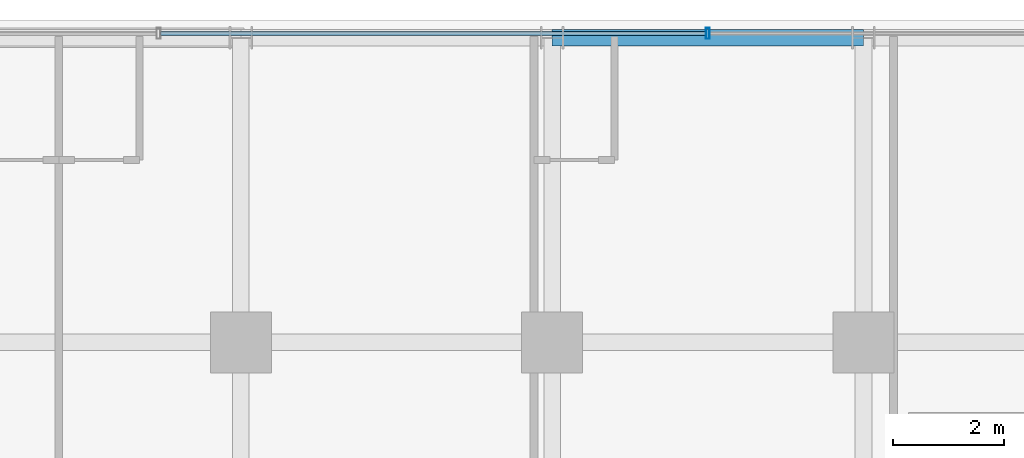
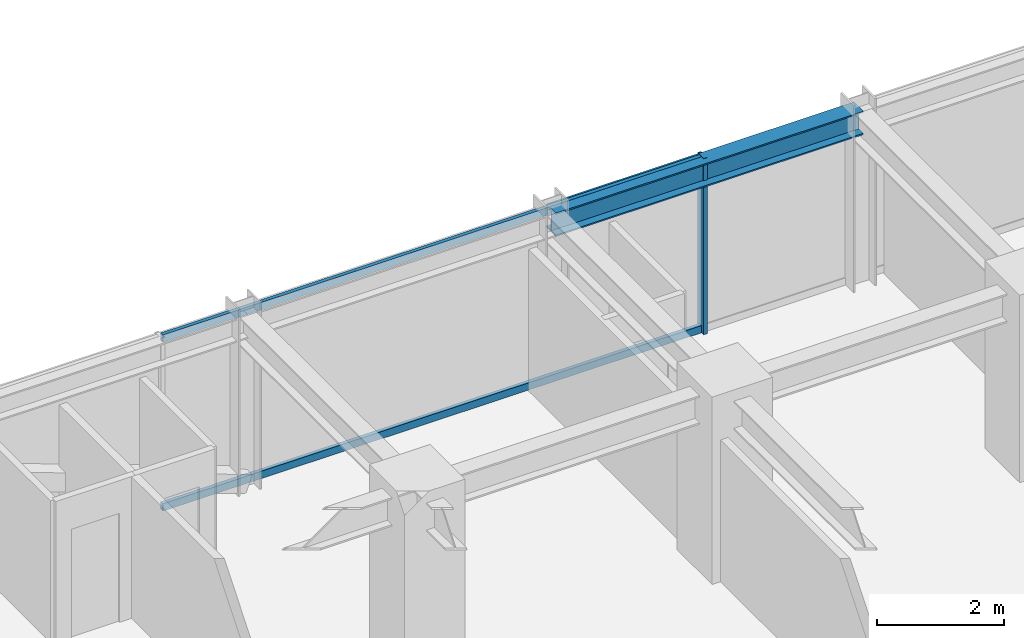
# One storey, part 24 of 38: 3 members, 1 beam, 1 element without a shape of its own.
"""IFC4 building model written with IfcOpenShell, lengths in metres."""

from ifc_helpers import new_model, si_unit, direction, frame, origin, origin_2d, place, context, subcontext, project, spatial, hollow_rectangle, i_section, extrude, source, transform, mapped, material, material_profile, profile_set, type_object, element, aggregate, save


model = new_model("IFC4")

# Units and contexts
model_context = context("Model", 3, precision=1e-05, world=origin(), true_north=direction((0.0, 1.0)))
body_context = subcontext(model_context, "Body", "Model", "MODEL_VIEW")
ifc_project = project(units=[si_unit("LENGTHUNIT", "METRE"), si_unit("AREAUNIT", "SQUARE_METRE"), si_unit("VOLUMEUNIT", "CUBIC_METRE"), si_unit("PLANEANGLEUNIT", "RADIAN"), si_unit("MASSUNIT", "GRAM", prefix="KILO")], contexts=[model_context])

# Site, building, storey
site_placement = place(None, origin())
site = spatial("IfcSite", under=ifc_project, at=site_placement, CompositionType="ELEMENT")
building_placement = place(site_placement, origin())
building = spatial("IfcBuilding", under=site, at=building_placement, Name="Nahalor Promenade Grand Hotel", CompositionType="ELEMENT")
storey_placement = place(building_placement, frame((0.0, 0.0, 178.199951171875)))
storey = spatial("IfcBuildingStorey", under=building, at=storey_placement, Name="L45", CompositionType="ELEMENT", Elevation=178.199951171875)

# Beam
ifc_material_1 = material(Name="Steel S355JR", Category="steel")
ifc_material_profile_1 = material_profile(ifc_material_1, i_section(OverallWidth=0.3, OverallDepth=0.45, WebThickness=0.014, FlangeThickness=0.026, at=origin_2d()), Name="HEB 450")
ifc_profile_set_1 = profile_set([ifc_material_profile_1], Name="Steel S355JR")
beam_type = type_object("IfcBeamType", Name="Beam-Spandrel-HEB450", PredefinedType="SPANDREL", material=ifc_profile_set_1)
shared_shape_1 = source(origin(), body_context, "Body", "SweptSolid", [
    extrude(i_section(OverallWidth=0.3, OverallDepth=0.45, WebThickness=0.014, FlangeThickness=0.026, at=origin_2d()), origin(), (0.0, 0.0, 1.0), 5.60009765625),
])
beam_placement = place(storey_placement, frame((-2.800048828125, 22.47998046875, 3.1650390625), z_axis=(1.0, 0.0, 0.0), x_axis=(0.0, 1.0, 0.0)))
element("IfcBeam", 1, at=beam_placement, inside=storey, type_object=beam_type, Name="BM-L45-SP-N-2", PredefinedType="SPANDREL", context=body_context, shape_type="MappedRepresentation", body=[
    mapped(shared_shape_1, transform((0.0, 0.0, 0.0), scale=1.0)),
])

# Curtain wall, members
ifc_material_2 = material(Name="Anodised Bronze Aluminium EN AW-6063 T6", Category="aluminium")
curtain_wall_type = type_object("IfcCurtainWallType", Name="CW3 Elliptical-Void Collar Unitised Curtain Wall", PredefinedType="USERDEFINED", material=ifc_material_2)
curtain_wall_placement = place(storey_placement, origin())
curtain_wall = element("IfcCurtainWall", 2, at=curtain_wall_placement, inside=storey, type_object=curtain_wall_type, Name="L45 Curtain Wall CW-L45-N-1", ObjectType="UNITISED_CURTAIN_WALL", PredefinedType="USERDEFINED")
ifc_material_profile_2 = material_profile(ifc_material_2, hollow_rectangle(XDim=0.07, YDim=0.2, WallThickness=0.005, at=origin_2d()), Name="CWM 70x200x5")
ifc_profile_set_2 = profile_set([ifc_material_profile_2], Name="Anodised Bronze Aluminium EN AW-6063 T6")
member_type_1 = type_object("IfcMemberType", Name="CWM3 Void Collar Mullion 70x200", PredefinedType="MULLION", material=ifc_profile_set_2)
shared_shape_2 = source(origin(), body_context, "Body", "SweptSolid", [
    extrude(hollow_rectangle(XDim=0.07, YDim=0.2, WallThickness=0.005, at=origin_2d()), origin(), (0.0, 0.0, 1.0), 3.39013671875),
])
member_1_placement = place(storey_placement, frame((0.0, 22.56005859375, 0.0), z_axis=(0.0, 0.0, 1.0), x_axis=(1.0, 0.0, 0.0)))
member_1 = element("IfcMember", 3, at=member_1_placement, type_object=member_type_1, Name="CW-L45-N-1 Mullion 2", PredefinedType="MULLION", context=body_context, shape_type="MappedRepresentation", body=[
    mapped(shared_shape_2, transform((0.0, 0.0, 0.0), scale=1.0)),
])
ifc_material_profile_3 = material_profile(ifc_material_2, hollow_rectangle(XDim=0.07, YDim=0.14, WallThickness=0.004, at=origin_2d()), Name="CWT 70x140x4")
ifc_profile_set_3 = profile_set([ifc_material_profile_3], Name="Anodised Bronze Aluminium EN AW-6063 T6")
member_type_2 = type_object("IfcMemberType", Name="CWT3 Void Collar Transom 70x140", PredefinedType="USERDEFINED", material=ifc_profile_set_3)
shared_shape_3 = source(origin(), body_context, "Body", "SweptSolid", [
    extrude(hollow_rectangle(XDim=0.07, YDim=0.14, WallThickness=0.004, at=origin_2d()), origin(), (0.0, 0.0, 1.0), 9.81005859375),
])
member_2_placement = place(storey_placement, frame((-9.844970703125, 22.56005859375, 0.070068359375), z_axis=(1.0, 0.0, 0.0), x_axis=(0.0, 1.0, 0.0)))
member_2 = element("IfcMember", 4, at=member_2_placement, type_object=member_type_2, Name="CW-L45-N-1 Transom 1-0", ObjectType="TRANSOM", PredefinedType="USERDEFINED", context=body_context, shape_type="MappedRepresentation", body=[
    mapped(shared_shape_3, transform((0.0, 0.0, 0.0), scale=1.0)),
])
member_3_placement = place(storey_placement, frame((-9.844970703125, 22.56005859375, 3.320068359375), z_axis=(1.0, 0.0, 0.0), x_axis=(0.0, 1.0, 0.0)))
member_3 = element("IfcMember", 5, at=member_3_placement, type_object=member_type_2, Name="CW-L45-N-1 Transom 1-1", ObjectType="TRANSOM", PredefinedType="USERDEFINED", context=body_context, shape_type="MappedRepresentation", body=[
    mapped(shared_shape_3, transform((0.0, 0.0, 0.0), scale=1.0)),
])
aggregate(curtain_wall, [member_1, member_2, member_3])

save(model, "model.ifc")
